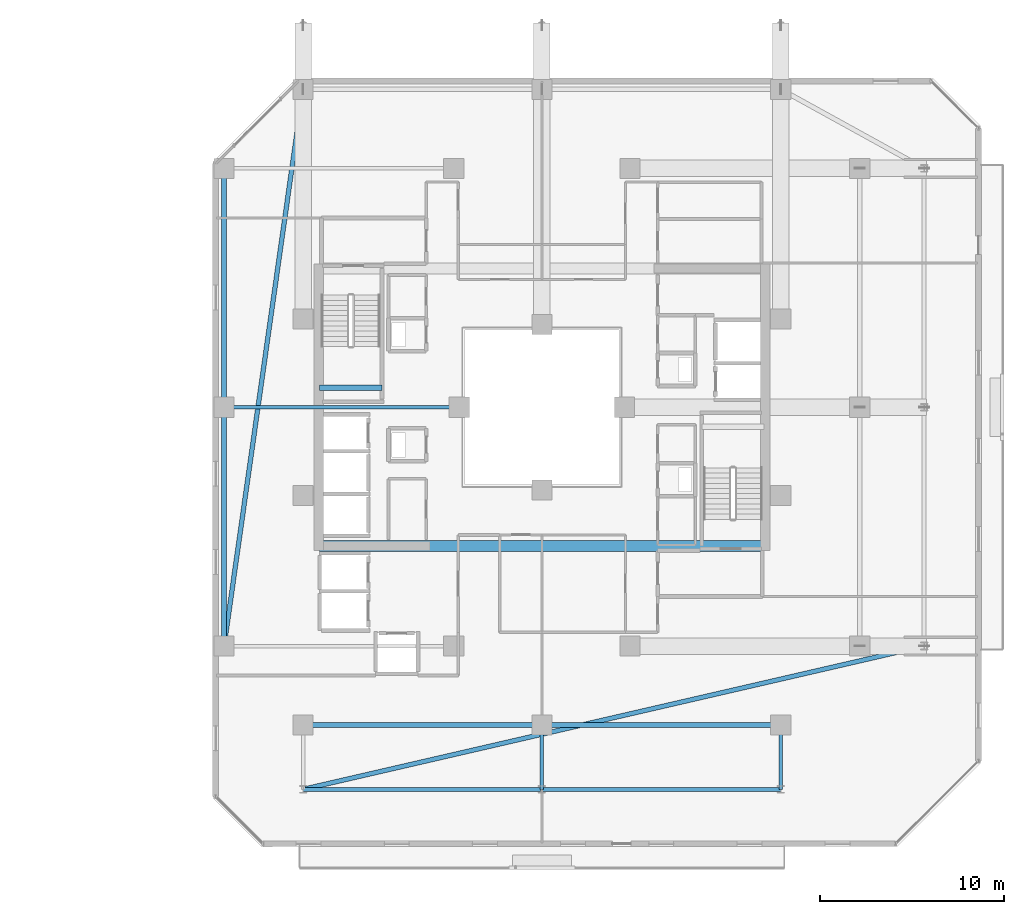
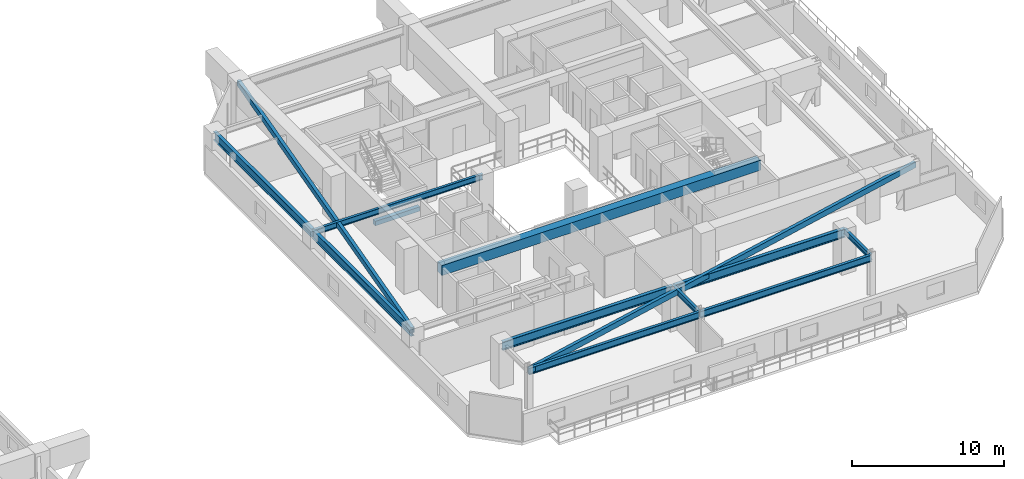
# One storey, part 11 of 35: 13 beams.
"""IFC4 building model written with IfcOpenShell, lengths in metres."""

from ifc_helpers import new_model, si_unit, direction, frame, origin, origin_2d, place, context, subcontext, project, spatial, rectangle, hollow_rectangle, i_section, extrude, material, material_profile, profile_set, type_object, element, save


model = new_model("IFC4")

# Units and contexts
model_context = context("Model", 3, precision=1e-05, world=origin(), true_north=direction((0.0, 1.0)))
body_context = subcontext(model_context, "Body", "Model", "MODEL_VIEW")
ifc_project = project(units=[si_unit("LENGTHUNIT", "METRE"), si_unit("AREAUNIT", "SQUARE_METRE"), si_unit("VOLUMEUNIT", "CUBIC_METRE"), si_unit("PLANEANGLEUNIT", "RADIAN"), si_unit("MASSUNIT", "GRAM", prefix="KILO")], contexts=[model_context])

# Site, building, storey
site_placement = place(None, origin())
site = spatial("IfcSite", under=ifc_project, at=site_placement, CompositionType="ELEMENT")
building_placement = place(site_placement, origin())
building = spatial("IfcBuilding", under=site, at=building_placement, Name="Thornwick Lancets Civic Towers", CompositionType="ELEMENT")
storey_placement = place(building_placement, frame((0.0, 0.0, 145.5)))
storey = spatial("IfcBuildingStorey", under=building, at=storey_placement, Name="L38", CompositionType="ELEMENT", Elevation=145.5)

# Beams
ifc_material_1 = material(Name="Concrete C60/75", Category="concrete")
ifc_material_profile_1 = material_profile(ifc_material_1, rectangle(XDim=0.60009765625, YDim=0.800048828125, at=origin_2d()), Name="RC 600x800")
ifc_profile_set_1 = profile_set([ifc_material_profile_1], Name="Concrete C60/75")
beam_type_1 = type_object("IfcBeamType", Name="BM_COUP_RC800", PredefinedType="BEAM", material=ifc_profile_set_1)
beam_1_placement = place(storey_placement, frame((76.39990234375, 19.449951171875, 2.919921875), z_axis=(1.0, 0.0, 0.0), x_axis=(0.0, 1.0, 0.0)))
element("IfcBeam", 1, at=beam_1_placement, inside=storey, type_object=beam_type_1, Name="CB-L38-B2", PredefinedType="BEAM", context=body_context, shape_type="SweptSolid", body=[
    extrude(rectangle(XDim=0.60009765625, YDim=0.800048828125, at=origin_2d()), origin(), (0.0, 0.0, 1.0), 24.2001953125),
])
ifc_material_2 = material(Name="Steel S355JR", Category="steel")
ifc_material_profile_2 = material_profile(ifc_material_2, i_section(OverallWidth=0.210693359375, OverallDepth=0.53955078125, WebThickness=0.01171875, FlangeThickness=0.018798828125, FilletRadius=0.0126953125, at=origin_2d()), Name="UKB 533x210x109")
ifc_profile_set_2 = profile_set([ifc_material_profile_2], Name="Steel S355JR")
beam_type_2 = type_object("IfcBeamType", Name="BM_EDGE_533_109", PredefinedType="SPANDREL", material=ifc_profile_set_2)
beam_2_placement = place(storey_placement, frame((101.5, 6.199951171875, 3.05029296875), z_axis=(-1.0, 0.0, 0.0), x_axis=(0.0, -1.0, 0.0)))
element("IfcBeam", 2, at=beam_2_placement, inside=storey, type_object=beam_type_2, Name="BM-EDGE-L38-B-S3-1", PredefinedType="SPANDREL", context=body_context, shape_type="SweptSolid", body=[
    extrude(i_section(OverallWidth=0.210693359375, OverallDepth=0.53955078125, WebThickness=0.01171875, FlangeThickness=0.018798828125, FilletRadius=0.0126953125, at=origin_2d()), origin(), (0.0, 0.0, 1.0), 13.0),
])
beam_3_placement = place(storey_placement, frame((88.419921875, 6.199951171875, 3.05029296875), z_axis=(-1.0, 0.0, 0.0), x_axis=(0.0, -1.0, 0.0)))
element("IfcBeam", 3, at=beam_3_placement, inside=storey, type_object=beam_type_2, Name="BM-EDGE-L38-B-S3-2", PredefinedType="SPANDREL", context=body_context, shape_type="SweptSolid", body=[
    extrude(i_section(OverallWidth=0.210693359375, OverallDepth=0.53955078125, WebThickness=0.01171875, FlangeThickness=0.018798828125, FilletRadius=0.0126953125, at=origin_2d()), origin(), (0.0, 0.0, 1.0), 12.919921875),
])
ifc_material_profile_3 = material_profile(ifc_material_2, i_section(OverallWidth=0.255859375, OverallDepth=0.69287109375, WebThickness=0.014404296875, FlangeThickness=0.023681640625, FilletRadius=0.01513671875, at=origin_2d()), Name="UKB 686x254x170")
ifc_profile_set_3 = profile_set([ifc_material_profile_3], Name="Steel S355JR")
beam_type_3 = type_object("IfcBeamType", Name="BM_GIRD_686_170", PredefinedType="BEAM", material=ifc_profile_set_3)
beam_4_placement = place(storey_placement, frame((71.199951171875, 14.0, 2.973388671875), z_axis=(0.0, 1.0, 0.0), x_axis=(-1.0, 0.0, 0.0)))
element("IfcBeam", 4, at=beam_4_placement, inside=storey, type_object=beam_type_3, Name="BM-SPINE-L38-B-6-7", PredefinedType="BEAM", context=body_context, shape_type="SweptSolid", body=[
    extrude(i_section(OverallWidth=0.255859375, OverallDepth=0.69287109375, WebThickness=0.014404296875, FlangeThickness=0.023681640625, FilletRadius=0.01513671875, at=origin_2d()), origin(), (0.0, 0.0, 1.0), 13.0),
])
beam_5_placement = place(storey_placement, frame((71.199951171875, 27.080078125, 2.973388671875), z_axis=(0.0, 1.0, 0.0), x_axis=(-1.0, 0.0, 0.0)))
element("IfcBeam", 5, at=beam_5_placement, inside=storey, type_object=beam_type_3, Name="BM-SPINE-L38-B-7-8", PredefinedType="BEAM", context=body_context, shape_type="SweptSolid", body=[
    extrude(i_section(OverallWidth=0.255859375, OverallDepth=0.69287109375, WebThickness=0.014404296875, FlangeThickness=0.023681640625, FilletRadius=0.01513671875, at=origin_2d()), origin(), (0.0, 0.0, 1.0), 12.919921875),
])
beam_6_placement = place(storey_placement, frame((101.5, 9.699951171875, 2.973388671875), z_axis=(-1.0, 0.0, 0.0), x_axis=(0.0, -1.0, 0.0)))
element("IfcBeam", 6, at=beam_6_placement, inside=storey, type_object=beam_type_3, Name="BM-SPINE-L38-B-9-10", PredefinedType="BEAM", context=body_context, shape_type="SweptSolid", body=[
    extrude(i_section(OverallWidth=0.255859375, OverallDepth=0.69287109375, WebThickness=0.014404296875, FlangeThickness=0.023681640625, FilletRadius=0.01513671875, at=origin_2d()), origin(), (0.0, 0.0, 1.0), 13.0),
])
beam_7_placement = place(storey_placement, frame((88.419921875, 9.699951171875, 2.973388671875), z_axis=(-1.0, 0.0, 0.0), x_axis=(0.0, -1.0, 0.0)))
element("IfcBeam", 7, at=beam_7_placement, inside=storey, type_object=beam_type_3, Name="BM-SPINE-L38-B-10-11", PredefinedType="BEAM", context=body_context, shape_type="SweptSolid", body=[
    extrude(i_section(OverallWidth=0.255859375, OverallDepth=0.69287109375, WebThickness=0.014404296875, FlangeThickness=0.023681640625, FilletRadius=0.01513671875, at=origin_2d()), origin(), (0.0, 0.0, 1.0), 12.919921875),
])
ifc_material_profile_4 = material_profile(ifc_material_2, i_section(OverallWidth=0.19189453125, OverallDepth=0.46337890625, WebThickness=0.010498046875, FlangeThickness=0.017578125, FilletRadius=0.01025390625, at=origin_2d()), Name="UKB 457x191x89")
ifc_profile_set_4 = profile_set([ifc_material_profile_4], Name="Steel S355JR")
beam_type_4 = type_object("IfcBeamType", Name="BM_JOIST_457_89", PredefinedType="JOIST", material=ifc_profile_set_4)
beam_8_placement = place(storey_placement, frame((84.0, 27.0, 3.08837890625), z_axis=(-1.0, 0.0, 0.0), x_axis=(0.0, -1.0, 0.0)))
element("IfcBeam", 8, at=beam_8_placement, inside=storey, type_object=beam_type_4, Name="BM-RADIN-L38-B08", PredefinedType="JOIST", context=body_context, shape_type="SweptSolid", body=[
    extrude(i_section(OverallWidth=0.19189453125, OverallDepth=0.46337890625, WebThickness=0.010498046875, FlangeThickness=0.017578125, FilletRadius=0.01025390625, at=origin_2d()), origin(), (0.0, 0.0, 1.0), 12.800048828125),
])
for number, where, z_axis, x_axis, name in (
    (9, (101.5, 9.699951171875, 3.08837890625), (0.0, -1.0, 0.0), (1.0, 0.0, 0.0), "BM-RAD-L38-B10"),
    (10, (88.5, 9.699951171875, 3.08837890625), (0.0, -1.0, 0.0), (1.0, 0.0, 0.0), "BM-RAD-L38-B11"),
):
    element("IfcBeam", number, at=place(storey_placement, frame(where, z_axis=z_axis, x_axis=x_axis)), inside=storey, type_object=beam_type_4, Name=name, PredefinedType="JOIST", context=body_context, shape_type="SweptSolid", body=[
        extrude(i_section(OverallWidth=0.19189453125, OverallDepth=0.46337890625, WebThickness=0.010498046875, FlangeThickness=0.017578125, FilletRadius=0.01025390625, at=origin_2d()), origin(), (0.0, 0.0, 1.0), 3.5),
    ])
ifc_material_profile_5 = material_profile(ifc_material_2, hollow_rectangle(XDim=0.25, YDim=0.449951171875, WallThickness=0.01611328125, at=origin_2d()), Name="RHS 450x250x16")
ifc_profile_set_5 = profile_set([ifc_material_profile_5], Name="Steel S355JR")
beam_type_5 = type_object("IfcBeamType", Name="BM_RING_RHS450", PredefinedType="BEAM", material=ifc_profile_set_5)
beam_9_placement = place(storey_placement, frame((75.5, 44.300048828125, 3.094970703125), z_axis=(-0.140507712682, -0.990079584012, 0.0), x_axis=(0.990079584012, -0.140507712682, 0.0)))
element("IfcBeam", 11, at=beam_9_placement, inside=storey, type_object=beam_type_5, Name="BM-CHAMF-L38-B-C1", PredefinedType="BEAM", context=body_context, shape_type="SweptSolid", body=[
    extrude(hollow_rectangle(XDim=0.25, YDim=0.449951171875, WallThickness=0.01611328125, at=origin_2d()), origin(), (0.0, 0.0, 1.0), 30.603759765625),
])
beam_10_placement = place(storey_placement, frame((75.5, 6.199951171875, 3.094970703125), z_axis=(0.974390958454, 0.224860534737, 0.0), x_axis=(-0.224860534737, 0.974390958454, 0.0)))
element("IfcBeam", 12, at=beam_10_placement, inside=storey, type_object=beam_type_5, Name="BM-CHAMF-L38-B-C3", PredefinedType="BEAM", context=body_context, shape_type="SweptSolid", body=[
    extrude(hollow_rectangle(XDim=0.25, YDim=0.449951171875, WallThickness=0.01611328125, at=origin_2d()), origin(), (0.0, 0.0, 1.0), 34.6884765625),
])
ifc_material_3 = material(Name="Concrete C40/50", Category="concrete")
ifc_material_profile_6 = material_profile(ifc_material_3, rectangle(XDim=0.300048828125, YDim=0.35009765625, at=origin_2d()), Name="RC 300x350")
ifc_profile_set_6 = profile_set([ifc_material_profile_6], Name="Concrete C40/50")
beam_type_6 = type_object("IfcBeamType", Name="BM_STAIR_LDG", PredefinedType="BEAM", material=ifc_profile_set_6)
beam_11_placement = place(storey_placement, frame((76.39990234375, 28.06494140625, 1.3779296875), z_axis=(1.0, 0.0, 0.0), x_axis=(0.0, 1.0, 0.0)))
element("IfcBeam", 13, at=beam_11_placement, inside=storey, type_object=beam_type_6, Name="L38 ST-B2 Landing Support Beam 1", PredefinedType="BEAM", context=body_context, shape_type="SweptSolid", body=[
    extrude(rectangle(XDim=0.300048828125, YDim=0.35009765625, at=origin_2d()), origin(), (0.0, 0.0, 1.0), 3.400146484375),
])

save(model, "model.ifc")
